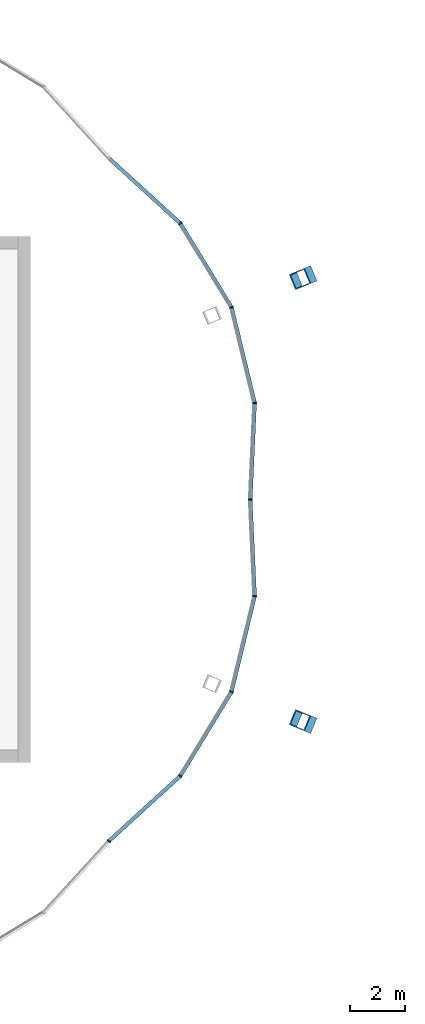
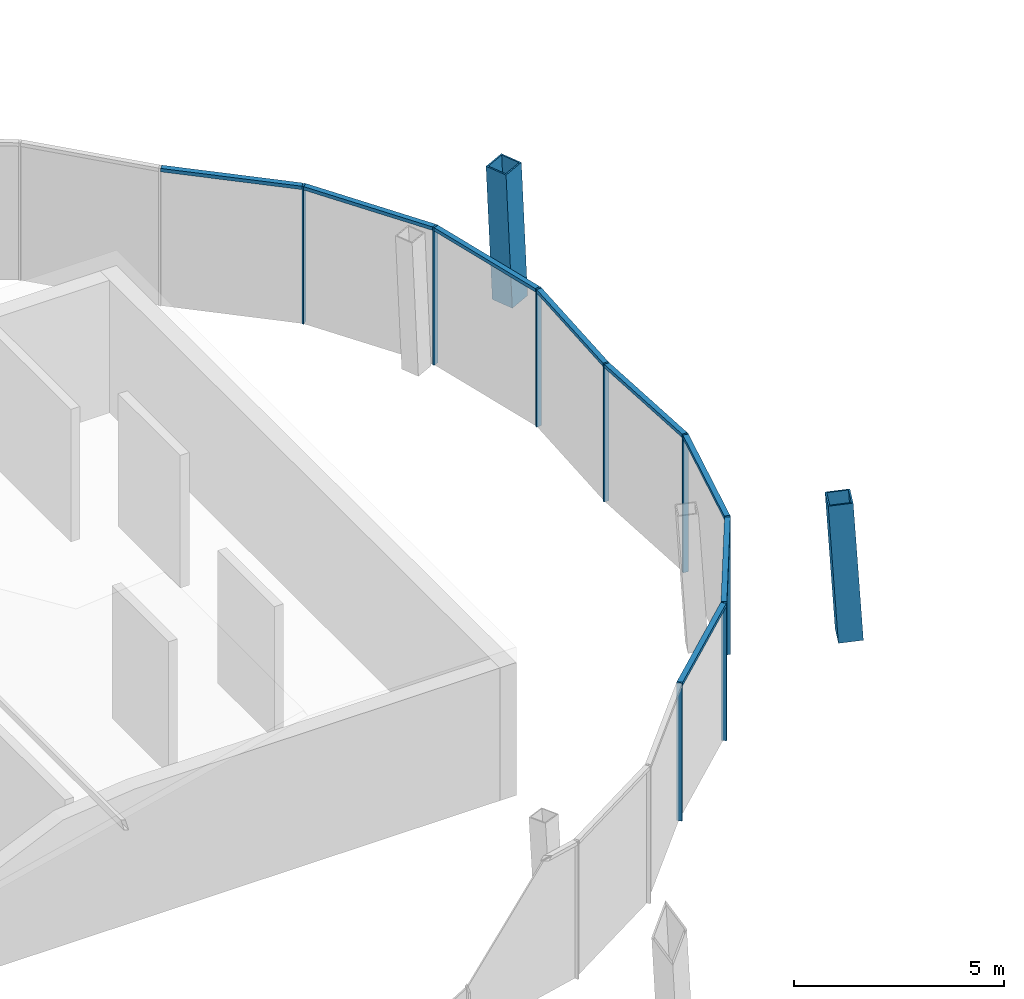
# One storey, part 5 of 14: 18 members, 3 elements without a shape of their own.
"""IFC4 building model written with IfcOpenShell, lengths in metres."""

from ifc_helpers import new_model, si_unit, direction, frame, origin, origin_2d, place, context, subcontext, project, spatial, rectangle, hollow_rectangle, extrude, material, material_profile, profile_set, type_object, element, aggregate, save


model = new_model("IFC4")

# Units and contexts
model_context = context("Model", 3, precision=1e-05, world=origin(), true_north=direction((0.0, 1.0)))
body_context = subcontext(model_context, "Body", "Model", "MODEL_VIEW")
ifc_project = project(units=[si_unit("LENGTHUNIT", "METRE"), si_unit("AREAUNIT", "SQUARE_METRE"), si_unit("VOLUMEUNIT", "CUBIC_METRE"), si_unit("PLANEANGLEUNIT", "RADIAN"), si_unit("MASSUNIT", "GRAM", prefix="KILO")], contexts=[model_context])

# Site, building, storey
site_placement = place(None, origin())
site = spatial("IfcSite", under=ifc_project, at=site_placement, CompositionType="ELEMENT")
building_placement = place(site_placement, origin())
building = spatial("IfcBuilding", under=site, at=building_placement, Name="Ogive Gate Towers", CompositionType="ELEMENT")
storey_placement = place(building_placement, frame((0.0, 0.0, 306.0)))
storey = spatial("IfcBuildingStorey", under=building, at=storey_placement, Name="L72", CompositionType="ELEMENT", Elevation=306.0)

# Curtain wall, members
ifc_material_1 = material(Name="Pale metal aluminium", Category="aluminium")
curtain_wall_type = type_object("IfcCurtainWallType", Name="Crown lean wall", PredefinedType="NOTDEFINED", material=ifc_material_1)
curtain_wall_1_placement = place(storey_placement, origin())
curtain_wall_1 = element("IfcCurtainWall", 1, at=curtain_wall_1_placement, inside=storey, type_object=curtain_wall_type, Name="CW5 T1 ECW01", PredefinedType="NOTDEFINED")
ifc_material_profile_1 = material_profile(ifc_material_1, rectangle(XDim=0.139892578125, YDim=0.050048828125, at=origin_2d()), Name="50 x 140 aluminium box")
ifc_profile_set_1 = profile_set([ifc_material_profile_1], Name="Pale metal aluminium")
member_type_1 = type_object("IfcMemberType", Name="Crown lean wall mullion 50 x 140", PredefinedType="MULLION", material=ifc_profile_set_1)
member_1_placement = place(storey_placement, frame((-21.08203125, 9.983642578125, -0.300048828125), z_axis=(0.0, 0.0, 1.0), x_axis=(-0.771835472483, -0.635822304907, 0.0)))
member_1 = element("IfcMember", 2, at=member_1_placement, type_object=member_type_1, Name="CW5 mullion", PredefinedType="MULLION", context=body_context, shape_type="SweptSolid", body=[
    extrude(rectangle(XDim=0.139892578125, YDim=0.050048828125, at=origin_2d()), origin(), (0.0, 0.0, 1.0), 4.0),
])
member_2_placement = place(storey_placement, frame((-19.23046875, 6.9462890625, -0.300048828125), z_axis=(0.0, 0.0, 1.0), x_axis=(-0.923886211456, -0.382667307567, 0.0)))
member_2 = element("IfcMember", 3, at=member_2_placement, type_object=member_type_1, Name="CW5 mullion", PredefinedType="MULLION", context=body_context, shape_type="SweptSolid", body=[
    extrude(rectangle(XDim=0.139892578125, YDim=0.050048828125, at=origin_2d()), origin(), (0.0, 0.0, 1.0), 4.0),
])
member_3_placement = place(storey_placement, frame((-18.39208984375, 3.489013671875, -0.300048828125), z_axis=(0.0, 0.0, 1.0), x_axis=(-0.995366038416, -0.096158460724, 0.0)))
member_3 = element("IfcMember", 4, at=member_3_placement, type_object=member_type_1, Name="CW5 mullion", PredefinedType="MULLION", context=body_context, shape_type="SweptSolid", body=[
    extrude(rectangle(XDim=0.139892578125, YDim=0.050048828125, at=origin_2d()), origin(), (0.0, 0.0, 1.0), 4.0),
])
member_4_placement = place(storey_placement, frame((-18.5498046875, -0.00146484375, -0.300048828125), z_axis=(0.0, 0.0, 1.0), x_axis=(-0.998974524654, 0.045275811329, 0.0)))
member_4 = element("IfcMember", 5, at=member_4_placement, type_object=member_type_1, Name="CW5 mullion", PredefinedType="MULLION", context=body_context, shape_type="SweptSolid", body=[
    extrude(rectangle(XDim=0.139892578125, YDim=0.050048828125, at=origin_2d()), origin(), (0.0, 0.0, 1.0), 4.0),
])

# Curtain wall, member
curtain_wall_2_placement = place(storey_placement, origin())
curtain_wall_2 = element("IfcCurtainWall", 6, at=curtain_wall_2_placement, inside=storey, type_object=curtain_wall_type, Name="CW5 T1 ECW07", PredefinedType="NOTDEFINED")
member_5_placement = place(storey_placement, frame((-23.659912109375, -12.338134765625, -0.300048828125), z_axis=(0.0, 0.0, 1.0), x_axis=(-0.738408263639, 0.674353939849, 0.0)))
member_5 = element("IfcMember", 7, at=member_5_placement, type_object=member_type_1, Name="CW5 mullion", PredefinedType="MULLION", context=body_context, shape_type="SweptSolid", body=[
    extrude(rectangle(XDim=0.139892578125, YDim=0.050048828125, at=origin_2d()), origin(), (0.0, 0.0, 1.0), 4.0),
])
aggregate(curtain_wall_2, [member_5])

# Curtain wall, members
curtain_wall_3_placement = place(storey_placement, origin())
curtain_wall_3 = element("IfcCurtainWall", 8, at=curtain_wall_3_placement, inside=storey, type_object=curtain_wall_type, Name="CW5 T1 ECW08", PredefinedType="NOTDEFINED")
member_6_placement = place(storey_placement, frame((-18.39208984375, -3.489013671875, -0.300048828125), z_axis=(0.0, 0.0, 1.0), x_axis=(-0.995366038416, 0.096158460724, 0.0)))
member_6 = element("IfcMember", 9, at=member_6_placement, type_object=member_type_1, Name="CW5 mullion", PredefinedType="MULLION", context=body_context, shape_type="SweptSolid", body=[
    extrude(rectangle(XDim=0.139892578125, YDim=0.050048828125, at=origin_2d()), origin(), (0.0, 0.0, 1.0), 4.0),
])
member_7_placement = place(storey_placement, frame((-19.23046875, -6.9462890625, -0.300048828125), z_axis=(0.0, 0.0, 1.0), x_axis=(-0.923886211456, 0.382667307567, 0.0)))
member_7 = element("IfcMember", 10, at=member_7_placement, type_object=member_type_1, Name="CW5 mullion", PredefinedType="MULLION", context=body_context, shape_type="SweptSolid", body=[
    extrude(rectangle(XDim=0.139892578125, YDim=0.050048828125, at=origin_2d()), origin(), (0.0, 0.0, 1.0), 4.0),
])
member_8_placement = place(storey_placement, frame((-21.08203125, -9.983642578125, -0.300048828125), z_axis=(0.0, 0.0, 1.0), x_axis=(-0.771835472483, 0.635822304907, 0.0)))
member_8 = element("IfcMember", 11, at=member_8_placement, type_object=member_type_1, Name="CW5 mullion", PredefinedType="MULLION", context=body_context, shape_type="SweptSolid", body=[
    extrude(rectangle(XDim=0.139892578125, YDim=0.050048828125, at=origin_2d()), origin(), (0.0, 0.0, 1.0), 4.0),
])

# Member
ifc_material_profile_2 = material_profile(ifc_material_1, rectangle(XDim=0.139892578125, YDim=0.10009765625, at=origin_2d()), Name="100 x 140 aluminium box")
ifc_profile_set_2 = profile_set([ifc_material_profile_2], Name="Pale metal aluminium")
member_type_2 = type_object("IfcMemberType", Name="Crown lean wall transom 100 x 140", PredefinedType="USERDEFINED", material=ifc_profile_set_2)
member_9_placement = place(storey_placement, frame((-23.643310546875, 12.3232421875, 3.64990234375), z_axis=(0.738357944361, -0.674409034636, 0.0), x_axis=(0.674409034636, 0.738357944361, 0.0)))
member_9 = element("IfcMember", 12, at=member_9_placement, type_object=member_type_2, Name="CW5 transom", ObjectType="TRANSOM", PredefinedType="USERDEFINED", context=body_context, shape_type="SweptSolid", body=[
    extrude(rectangle(XDim=0.139892578125, YDim=0.10009765625, at=origin_2d()), origin(), (0.0, 0.0, 1.0), 3.439697265625),
])

member_10_placement = place(storey_placement, frame((-21.066650390625, 9.958740234375, 3.64990234375), z_axis=(0.520537938613, -0.853838541215, 0.0), x_axis=(0.853838541215, 0.520537938613, 0.0)))
member_10 = element("IfcMember", 13, at=member_10_placement, type_object=member_type_2, Name="CW5 transom", ObjectType="TRANSOM", PredefinedType="USERDEFINED", context=body_context, shape_type="SweptSolid", body=[
    extrude(rectangle(XDim=0.139892578125, YDim=0.10009765625, at=origin_2d()), origin(), (0.0, 0.0, 1.0), 3.498291015625),
])

member_11_placement = place(storey_placement, frame((-19.22314453125, 6.91748046875, 3.64990234375), z_axis=(0.235665937055, -0.971834124793, 0.0), x_axis=(0.971834124793, 0.235665937055, 0.0)))
member_11 = element("IfcMember", 14, at=member_11_placement, type_object=member_type_2, Name="CW5 transom", ObjectType="TRANSOM", PredefinedType="USERDEFINED", context=body_context, shape_type="SweptSolid", body=[
    extrude(rectangle(XDim=0.139892578125, YDim=0.10009765625, at=origin_2d()), origin(), (0.0, 0.0, 1.0), 3.49853515625),
])

member_12_placement = place(storey_placement, frame((-18.39306640625, 3.4599609375, 3.64990234375), z_axis=(-0.045282100523, -0.998974239594, 0.0), x_axis=(0.998974239594, -0.045282100523, 0.0)))
member_12 = element("IfcMember", 15, at=member_12_placement, type_object=member_type_2, Name="CW5 transom", ObjectType="TRANSOM", PredefinedType="USERDEFINED", context=body_context, shape_type="SweptSolid", body=[
    extrude(rectangle(XDim=0.139892578125, YDim=0.10009765625, at=origin_2d()), origin(), (0.0, 0.0, 1.0), 3.439697265625),
])

aggregate(curtain_wall_1, [member_1, member_9, member_2, member_10, member_3, member_11, member_4, member_12])

member_13_placement = place(storey_placement, frame((-18.548828125, -0.023681640625, 3.64990234375), z_axis=(0.045282100523, -0.998974239594, 0.0), x_axis=(0.998974239594, 0.045282100523, 0.0)))
member_13 = element("IfcMember", 16, at=member_13_placement, type_object=member_type_2, Name="CW5 transom", ObjectType="TRANSOM", PredefinedType="USERDEFINED", context=body_context, shape_type="SweptSolid", body=[
    extrude(rectangle(XDim=0.139892578125, YDim=0.10009765625, at=origin_2d()), origin(), (0.0, 0.0, 1.0), 3.439697265625),
])

member_14_placement = place(storey_placement, frame((-18.398681640625, -3.517578125, 3.64990234375), z_axis=(-0.235665937055, -0.971834124793, 0.0), x_axis=(0.971834124793, -0.235665937055, 0.0)))
member_14 = element("IfcMember", 17, at=member_14_placement, type_object=member_type_2, Name="CW5 transom", ObjectType="TRANSOM", PredefinedType="USERDEFINED", context=body_context, shape_type="SweptSolid", body=[
    extrude(rectangle(XDim=0.139892578125, YDim=0.10009765625, at=origin_2d()), origin(), (0.0, 0.0, 1.0), 3.49853515625),
])

member_15_placement = place(storey_placement, frame((-19.24560546875, -6.9716796875, 3.64990234375), z_axis=(-0.520537938613, -0.853838541215, 0.0), x_axis=(0.853838541215, -0.520537938613, 0.0)))
member_15 = element("IfcMember", 18, at=member_15_placement, type_object=member_type_2, Name="CW5 transom", ObjectType="TRANSOM", PredefinedType="USERDEFINED", context=body_context, shape_type="SweptSolid", body=[
    extrude(rectangle(XDim=0.139892578125, YDim=0.10009765625, at=origin_2d()), origin(), (0.0, 0.0, 1.0), 3.498291015625),
])

member_16_placement = place(storey_placement, frame((-21.103515625, -10.00341796875, 3.64990234375), z_axis=(-0.738357944361, -0.674409034636, 0.0), x_axis=(0.674409034636, -0.738357944361, 0.0)))
member_16 = element("IfcMember", 19, at=member_16_placement, type_object=member_type_2, Name="CW5 transom", ObjectType="TRANSOM", PredefinedType="USERDEFINED", context=body_context, shape_type="SweptSolid", body=[
    extrude(rectangle(XDim=0.139892578125, YDim=0.10009765625, at=origin_2d()), origin(), (0.0, 0.0, 1.0), 3.439697265625),
])

aggregate(curtain_wall_3, [member_6, member_13, member_7, member_14, member_8, member_15, member_16])

# Members
ifc_material_2 = material(Name="Steel SM460", Category="steel")
ifc_material_profile_3 = material_profile(ifc_material_2, hollow_rectangle(XDim=0.60009765625, YDim=0.60009765625, WallThickness=0.0400390625, at=origin_2d()), Name="BX 600x600x40")
ifc_profile_set_3 = profile_set([ifc_material_profile_3], Name="Steel SM460")
member_type_3 = type_object("IfcMemberType", Name="Crown rib BX 600x600x40", PredefinedType="MEMBER", material=ifc_profile_set_3)
for number, where, z_axis, x_axis, name in (
    (20, (-16.532958984375, 8.0634765625, 0.0), (-0.056352410126, -0.023332943868, 0.998138256758), (0.382557636574, -0.923931628801, 0.0), "T1/L72/STR001"),
    (21, (-16.532958984375, -8.0634765625, 0.0), (-0.056352410126, 0.023332943868, 0.998138256758), (-0.382557636574, -0.923931628801, 0.0), "T1/L72/STR006"),
):
    element("IfcMember", number, at=place(storey_placement, frame(where, z_axis=z_axis, x_axis=x_axis)), inside=storey, type_object=member_type_3, Name=name, PredefinedType="MEMBER", context=body_context, shape_type="SweptSolid", body=[
        extrude(hollow_rectangle(XDim=0.60009765625, YDim=0.60009765625, WallThickness=0.0400390625, at=origin_2d()), origin(), (0.0, 0.0, 1.0), 4.007568359375),
    ])

save(model, "model.ifc")
